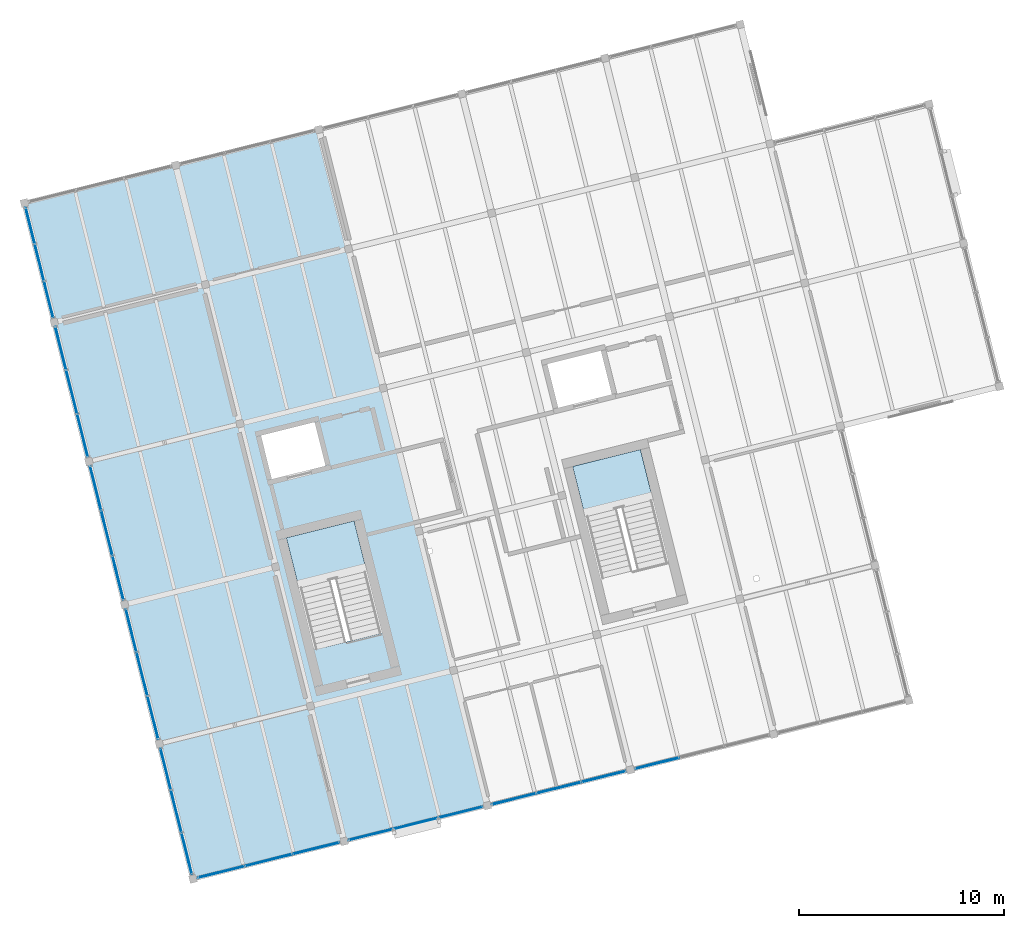
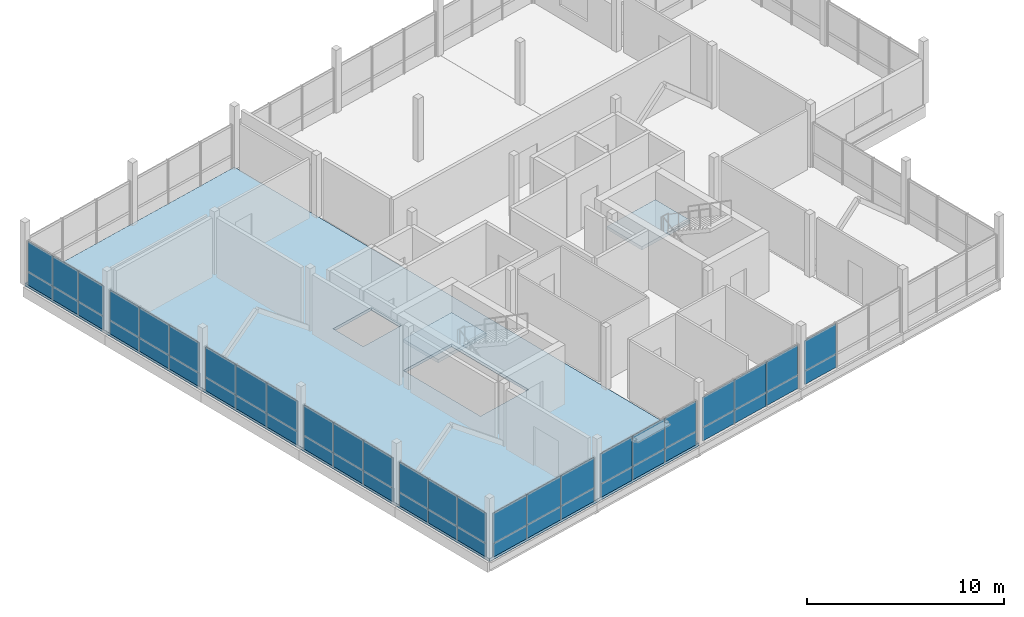
# One storey, part 21 of 26: 50 plates, 3 slabs, 11 elements without a shape of their own.
"""IFC4 building model written with IfcOpenShell, lengths in metres."""

import ifcopenshell
import ifcopenshell.guid

model = None  # the IFC model being written
_history = None  # IfcOwnerHistory: only IFC2X3 demands one
_inside = {}  # id of a spatial element -> (the spatial element, [elements in it])
_under = {}  # id of a project, library or spatial element -> (it, [spatial elements below it])
_declared = {}  # id of a project -> (the project, [libraries it declares])
_typed = {}  # id of a type object -> (the type object, [elements of that type])
_made_of = {}  # id of a material, layer set ... -> (it, [elements and type objects made of it])


def new_model(schema):
    """Start an empty IFC model of exactly this schema.

    Asked for "IFC4X3", IfcOpenShell would pick the latest addendum, in which some entities
    have other attributes; the version numbers below select the first issue.
    IFC2X3 requires an IfcOwnerHistory on every rooted entity: one is made here for all.
    """
    global model, _history
    if schema == "IFC4X3":
        model = ifcopenshell.file(schema_version=(4, 3, 0, 0))
    else:
        model = ifcopenshell.file(schema=schema)
    _inside.clear()
    _under.clear()
    _declared.clear()
    _typed.clear()
    _made_of.clear()
    _history = None
    if model.schema == "IFC2X3":
        org = make("IfcOrganization", Name="unknown")
        user = make(
            "IfcPersonAndOrganization",
            ThePerson=make("IfcPerson", FamilyName="unknown"),
            TheOrganization=org,
        )
        app = make(
            "IfcApplication",
            ApplicationDeveloper=org,
            Version="unknown",
            ApplicationFullName="unknown",
            ApplicationIdentifier="unknown",
        )
        _history = make(
            "IfcOwnerHistory",
            OwningUser=user,
            OwningApplication=app,
            ChangeAction="ADDED",
            CreationDate=0,
        )
    return model


def make(cls, **values):
    """One entity of the class cls with the attributes given. An attribute that is None is left unset."""
    return model.create_entity(
        cls, **{name: value for name, value in values.items() if value is not None}
    )


def rooted(cls, **values):
    """An entity with a GlobalId (a new one), such as an element, a storey or a relation."""
    return make(cls, GlobalId=ifcopenshell.guid.new(), OwnerHistory=_history, **values)


def si_unit(unit_type, name, prefix=None):
    """IfcSIUnit, for example si_unit("LENGTHUNIT", "METRE", prefix="MILLI")."""
    return make("IfcSIUnit", UnitType=unit_type, Prefix=prefix, Name=name)


def assignment(units):
    """IfcUnitAssignment: the units of a project."""
    return None if units is None else make("IfcUnitAssignment", Units=units)


def point(xyz):
    """IfcCartesianPoint."""
    return None if xyz is None else make("IfcCartesianPoint", Coordinates=xyz)


def direction(xyz):
    """IfcDirection."""
    return None if xyz is None else make("IfcDirection", DirectionRatios=xyz)


def frame(location, z_axis=None, x_axis=None):
    """IfcAxis2Placement3D, a coordinate frame: its origin and axes. An axis left out is left unset."""
    return make(
        "IfcAxis2Placement3D",
        Location=point(location),
        Axis=direction(z_axis),
        RefDirection=direction(x_axis),
    )


def frame_2d(location, x_axis=None):
    """IfcAxis2Placement2D, a coordinate frame in the plane: its origin and x axis."""
    return make(
        "IfcAxis2Placement2D", Location=point(location), RefDirection=direction(x_axis)
    )


def origin():
    """The frame at (0, 0, 0) with its axes left unset."""
    return frame((0.0, 0.0, 0.0))


def origin_2d():
    """The frame at (0, 0) in the plane with its x axis left unset."""
    return frame_2d((0.0, 0.0))


def place(relative_to, where):
    """IfcLocalPlacement: puts the frame where relative to a parent placement (None: the world)."""
    return make(
        "IfcLocalPlacement", PlacementRelTo=relative_to, RelativePlacement=where
    )


def context(
    kind, dimensions, precision=None, world=None, true_north=None, identifier=None
):
    """IfcGeometricRepresentationContext, for example the 3D "Model" context."""
    return make(
        "IfcGeometricRepresentationContext",
        ContextIdentifier=identifier,
        ContextType=kind,
        CoordinateSpaceDimension=dimensions,
        Precision=precision,
        WorldCoordinateSystem=world,
        TrueNorth=true_north,
    )


def subcontext(parent, identifier, kind, view, scale=None):
    """IfcGeometricRepresentationSubContext, for example "Body" below "Model"."""
    return make(
        "IfcGeometricRepresentationSubContext",
        ContextIdentifier=identifier,
        ContextType=kind,
        ParentContext=parent,
        TargetScale=scale,
        TargetView=view,
    )


def project(units=None, contexts=None):
    """IfcProject with its units and contexts."""
    return rooted(
        "IfcProject",
        Name="project",
        RepresentationContexts=contexts,
        UnitsInContext=assignment(units),
    )


def spatial(cls, under=None, at=None, **own):
    """A site, building, storey or space (cls), placed at a placement, below another one or the project."""
    s = rooted(cls, ObjectPlacement=at, **own)
    if under is not None:
        _under.setdefault(under.id(), (under, []))[1].append(s)
    return s


def polyline(points):
    """IfcPolyline through the points."""
    return make("IfcPolyline", Points=[point(p) for p in points])


def profile(cls, at=None, kind="AREA", **sizes):
    """A parametric profile (cls). Its sizes go by their IFC names, for example OverallWidth=200.0."""
    return make(cls, ProfileType=kind, Position=at, **sizes)


def rectangle(**sizes):
    """IfcRectangleProfileDef."""
    return profile("IfcRectangleProfileDef", **sizes)


def outline(outer, holes=None, kind="AREA"):
    """IfcArbitraryClosedProfileDef: a profile drawn as a closed curve; with holes, ...WithVoids."""
    if holes is None:
        return make("IfcArbitraryClosedProfileDef", ProfileType=kind, OuterCurve=outer)
    return make(
        "IfcArbitraryProfileDefWithVoids",
        ProfileType=kind,
        OuterCurve=outer,
        InnerCurves=holes,
    )


def extrude(swept, where, along, depth):
    """IfcExtrudedAreaSolid: the profile swept, set in the frame where, extruded along a direction by depth."""
    return make(
        "IfcExtrudedAreaSolid",
        SweptArea=swept,
        Position=where,
        ExtrudedDirection=direction(along),
        Depth=depth,
    )


def shape(context_of_items, identifier, shape_type, items):
    """IfcShapeRepresentation: the items that make up one representation, for example the "Body"."""
    return make(
        "IfcShapeRepresentation",
        ContextOfItems=context_of_items,
        RepresentationIdentifier=identifier,
        RepresentationType=shape_type,
        Items=items,
    )


def material(Name=None, Category=None):
    """IfcMaterial."""
    return make("IfcMaterial", Name=Name, Category=Category)


def layer(
    of_material, thickness, ventilated=None, Name=None, Category=None, Priority=None
):
    """IfcMaterialLayer: one layer of a wall or slab, of a material (None: an air gap)."""
    return make(
        "IfcMaterialLayer",
        Material=of_material,
        LayerThickness=thickness,
        IsVentilated=ventilated,
        Name=Name,
        Category=Category,
        Priority=Priority,
    )


def layer_set(layers, Name=None):
    """IfcMaterialLayerSet."""
    return make("IfcMaterialLayerSet", MaterialLayers=layers, LayerSetName=Name)


def made_of(thing, what):
    """Note that an element or type object is made of a material, layer set ...; save() writes the relation."""
    if what is not None:
        _made_of.setdefault(what.id(), (what, []))[1].append(thing)
    return thing


def type_object(cls, material=None, **own):
    """A type object (cls), such as IfcWallType, which elements share."""
    return made_of(rooted(cls, **own), material)


def element(
    cls,
    number,
    at=None,
    inside=None,
    cuts=None,
    type_object=None,
    material=None,
    context=None,
    identifier="Body",
    shape_type=None,
    held_by="IfcProductDefinitionShape",
    body=None,
    shapes=None,
    **own,
):
    """One element of the class cls, such as IfcWall. Its Tag is "e" and its number.

    at: its placement. inside: the storey or other place that contains it. cuts: it is an
    opening in that element (IfcRelVoidsElement). A single representation is given by context,
    identifier, shape_type and body (its items); several are given by shapes. held_by: the class
    of the entity that holds the representations. save() writes the other relations.
    """
    e = rooted(cls, Tag="e%d" % number, ObjectPlacement=at, **own)
    if body is not None:
        shapes = [shape(context, identifier, shape_type, body)]
    if shapes is not None:
        e.Representation = make(held_by, Representations=shapes)
    if inside is not None:
        _inside.setdefault(inside.id(), (inside, []))[1].append(e)
    if cuts is not None:
        rooted(
            "IfcRelVoidsElement", RelatingBuildingElement=cuts, RelatedOpeningElement=e
        )
    if type_object is not None:
        _typed.setdefault(type_object.id(), (type_object, []))[1].append(e)
    return made_of(e, material)


def aggregate(whole, parts):
    """IfcRelAggregates: a whole, such as a stair, and the parts it consists of."""
    return rooted("IfcRelAggregates", RelatingObject=whole, RelatedObjects=parts)


def save(model, path):
    """Write the relations noted so far, then the file.

    IfcRelAggregates (storeys below a building ...), IfcRelContainedInSpatialStructure (elements
    in a storey), IfcRelDefinesByType, IfcRelAssociatesMaterial and IfcRelDeclares: one each for
    every whole, place, type object, material and project.
    """
    for whole, parts in _under.values():
        aggregate(whole, parts)
    for where, things in _inside.values():
        rooted(
            "IfcRelContainedInSpatialStructure",
            RelatedElements=things,
            RelatingStructure=where,
        )
    for kind, things in _typed.values():
        rooted("IfcRelDefinesByType", RelatedObjects=things, RelatingType=kind)
    for what, things in _made_of.values():
        rooted("IfcRelAssociatesMaterial", RelatedObjects=things, RelatingMaterial=what)
    for by, libraries in _declared.values():
        rooted("IfcRelDeclares", RelatingContext=by, RelatedDefinitions=libraries)
    model.write(path)


model = new_model("IFC4")

# Units and contexts
model_context = context("Model", 3, precision=1e-05, world=origin(), true_north=direction((0.0, 1.0)))
body_context = subcontext(model_context, "Body", "Model", "MODEL_VIEW")
ifc_project = project(units=[si_unit("LENGTHUNIT", "METRE"), si_unit("AREAUNIT", "SQUARE_METRE"), si_unit("VOLUMEUNIT", "CUBIC_METRE"), si_unit("PLANEANGLEUNIT", "RADIAN"), si_unit("MASSUNIT", "GRAM", prefix="KILO")], contexts=[model_context])

# Site, building, storey
site_placement = place(None, origin())
site = spatial("IfcSite", under=ifc_project, at=site_placement, CompositionType="ELEMENT")
building_placement = place(site_placement, origin())
building = spatial("IfcBuilding", under=site, at=building_placement, Name="Meriwether Solvik Hall", CompositionType="ELEMENT")
storey_placement = place(building_placement, frame((0.0, 0.0, 41.699951171875)))
storey = spatial("IfcBuildingStorey", under=building, at=storey_placement, Name="L10", CompositionType="ELEMENT", Elevation=41.699951171875)

# Curtain wall, plates
ifc_material_1 = material(Name="Thermally Broken Anodised Aluminium 6063-T6 and Low-E Glass", Category="aluminium")
ifc_layer_1 = layer(ifc_material_1, 0.179931640625)
ifc_layer_set_1 = layer_set([ifc_layer_1], Name="Thermally Broken Anodised Aluminium 6063-T6 and Low-E Glass")
curtain_wall_type_1 = type_object("IfcCurtainWallType", Name="CW-UNIT-A", PredefinedType="USERDEFINED", material=ifc_layer_set_1)
curtain_wall_1_placement = place(storey_placement, origin())
curtain_wall_1 = element("IfcCurtainWall", 1, at=curtain_wall_1_placement, inside=storey, type_object=curtain_wall_type_1, Name="Curtain Wall E0_B0 (L10)", ObjectType="UNITISED CURTAIN WALL", PredefinedType="USERDEFINED")
ifc_material_2 = material(Name="Low-Emissivity Double-Glazed Laminated Glass", Category="glass")
ifc_layer_2 = layer(ifc_material_2, 0.031982421875)
ifc_layer_set_2 = layer_set([ifc_layer_2], Name="Low-Emissivity Double-Glazed Laminated Glass")
plate_type_1 = type_object("IfcPlateType", Name="PLT-GLZ-180X185", PredefinedType="CURTAIN_PANEL", material=ifc_layer_set_2)
plate_1_placement = place(storey_placement, frame((74.600830078125, 42.6962890625, 0.8310546875), z_axis=(0.0, 0.0, 1.0), x_axis=(-0.970295715501, -0.241921938817, 0.0)))
plate_1 = element("IfcPlate", 2, at=plate_1_placement, type_object=plate_type_1, Name="Low-E Vision Glazing Panel 1", PredefinedType="CURTAIN_PANEL", context=body_context, shape_type="SweptSolid", body=[
    extrude(rectangle(XDim=2.357666015625, YDim=0.033935546875, at=origin_2d()), origin(), (0.0, 0.0, 1.0), 1.87890625),
])
plate_2_placement = place(storey_placement, frame((72.287109375, 42.119384765625, 0.8310546875), z_axis=(0.0, 0.0, 1.0), x_axis=(-0.970295715501, -0.241921938817, 0.0)))
plate_2 = element("IfcPlate", 3, at=plate_2_placement, type_object=plate_type_1, Name="Low-E Vision Glazing Panel 2", PredefinedType="CURTAIN_PANEL", context=body_context, shape_type="SweptSolid", body=[
    extrude(rectangle(XDim=2.395751953125, YDim=0.033935546875, at=origin_2d()), origin(), (0.0, 0.0, 1.0), 1.87890625),
])
plate_3_placement = place(storey_placement, frame((69.973388671875, 41.54248046875, 0.8310546875), z_axis=(0.0, 0.0, 1.0), x_axis=(-0.970295715501, -0.241921938817, 0.0)))
plate_3 = element("IfcPlate", 4, at=plate_3_placement, type_object=plate_type_1, Name="Low-E Vision Glazing Panel 3", PredefinedType="CURTAIN_PANEL", context=body_context, shape_type="SweptSolid", body=[
    extrude(rectangle(XDim=2.357666015625, YDim=0.033935546875, at=origin_2d()), origin(), (0.0, 0.0, 1.0), 1.87890625),
])

curtain_wall_2_placement = place(storey_placement, origin())
curtain_wall_2 = element("IfcCurtainWall", 5, at=curtain_wall_2_placement, inside=storey, type_object=curtain_wall_type_1, Name="Curtain Wall E7_B0 (L10)", ObjectType="UNITISED CURTAIN WALL", PredefinedType="USERDEFINED")
plate_4_placement = place(storey_placement, frame((68.289794921875, 42.44384765625, 0.8310546875), z_axis=(0.0, 0.0, 1.0), x_axis=(-0.241921888555, 0.970295728032, 0.0)))
plate_4 = element("IfcPlate", 6, at=plate_4_placement, type_object=plate_type_1, Name="Low-E Vision Glazing Panel 1", PredefinedType="CURTAIN_PANEL", context=body_context, shape_type="SweptSolid", body=[
    extrude(rectangle(XDim=2.091064453125, YDim=0.033935546875, at=origin_2d()), origin(), (0.0, 0.0, 1.0), 1.87890625),
])
plate_5_placement = place(storey_placement, frame((67.777587890625, 44.4990234375, 0.8310546875), z_axis=(0.0, 0.0, 1.0), x_axis=(-0.241921888555, 0.970295728032, 0.0)))
plate_5 = element("IfcPlate", 7, at=plate_5_placement, type_object=plate_type_1, Name="Low-E Vision Glazing Panel 2", PredefinedType="CURTAIN_PANEL", context=body_context, shape_type="SweptSolid", body=[
    extrude(rectangle(XDim=2.12890625, YDim=0.033935546875, at=origin_2d()), origin(), (0.0, 0.0, 1.0), 1.87890625),
])
plate_6_placement = place(storey_placement, frame((67.26513671875, 46.55419921875, 0.8310546875), z_axis=(0.0, 0.0, 1.0), x_axis=(-0.241921888555, 0.970295728032, 0.0)))
plate_6 = element("IfcPlate", 8, at=plate_6_placement, type_object=plate_type_1, Name="Low-E Vision Glazing Panel 3", PredefinedType="CURTAIN_PANEL", context=body_context, shape_type="SweptSolid", body=[
    extrude(rectangle(XDim=2.091064453125, YDim=0.033935546875, at=origin_2d()), origin(), (0.0, 0.0, 1.0), 1.87890625),
])

ifc_material_3 = material(Name="Thermally Broken Anodised Aluminium 6063-T6 and Low-E Glass", Category="aluminium")
ifc_layer_3 = layer(ifc_material_3, 0.179931640625)
ifc_layer_set_3 = layer_set([ifc_layer_3], Name="Thermally Broken Anodised Aluminium 6063-T6 and Low-E Glass")
curtain_wall_type_2 = type_object("IfcCurtainWallType", Name="CW-UNIT-E", PredefinedType="USERDEFINED", material=ifc_layer_set_3)
curtain_wall_3_placement = place(storey_placement, origin())
curtain_wall_3 = element("IfcCurtainWall", 9, at=curtain_wall_3_placement, inside=storey, type_object=curtain_wall_type_2, Name="Curtain Wall E7_B4 (L10)", ObjectType="UNITISED CURTAIN WALL", PredefinedType="USERDEFINED")
plate_7_placement = place(storey_placement, frame((61.54833984375, 69.48291015625, 0.8310546875), z_axis=(0.0, 0.0, 1.0), x_axis=(-0.241921949893, 0.970295712739, 0.0)))
plate_7 = element("IfcPlate", 10, at=plate_7_placement, type_object=plate_type_1, Name="Low-E Vision Glazing Panel 1", PredefinedType="CURTAIN_PANEL", context=body_context, shape_type="SweptSolid", body=[
    extrude(rectangle(XDim=1.82421875, YDim=0.033935546875, at=origin_2d()), origin(), (0.0, 0.0, 1.0), 1.87890625),
])
plate_8_placement = place(storey_placement, frame((61.100341796875, 71.279052734375, 0.8310546875), z_axis=(0.0, 0.0, 1.0), x_axis=(-0.241921949893, 0.970295712739, 0.0)))
plate_8 = element("IfcPlate", 11, at=plate_8_placement, type_object=plate_type_1, Name="Low-E Vision Glazing Panel 2", PredefinedType="CURTAIN_PANEL", context=body_context, shape_type="SweptSolid", body=[
    extrude(rectangle(XDim=1.8623046875, YDim=0.033935546875, at=origin_2d()), origin(), (0.0, 0.0, 1.0), 1.87890625),
])
plate_9_placement = place(storey_placement, frame((60.652587890625, 73.075439453125, 0.8310546875), z_axis=(0.0, 0.0, 1.0), x_axis=(-0.241921949893, 0.970295712739, 0.0)))
plate_9 = element("IfcPlate", 12, at=plate_9_placement, type_object=plate_type_1, Name="Low-E Vision Glazing Panel 3", PredefinedType="CURTAIN_PANEL", context=body_context, shape_type="SweptSolid", body=[
    extrude(rectangle(XDim=1.82421875, YDim=0.033935546875, at=origin_2d()), origin(), (0.0, 0.0, 1.0), 1.87890625),
])

# Curtain wall, plate
ifc_material_4 = material(Name="Thermally Broken Anodised Aluminium 6063-T6 and Low-E Glass", Category="aluminium")
ifc_layer_4 = layer(ifc_material_4, 0.179931640625)
ifc_layer_set_4 = layer_set([ifc_layer_4], Name="Thermally Broken Anodised Aluminium 6063-T6 and Low-E Glass")
curtain_wall_type_3 = type_object("IfcCurtainWallType", Name="CW-UNIT-D", PredefinedType="USERDEFINED", material=ifc_layer_set_4)
curtain_wall_4_placement = place(storey_placement, origin())
curtain_wall_4 = element("IfcCurtainWall", 13, at=curtain_wall_4_placement, inside=storey, type_object=curtain_wall_type_3, Name="Curtain Wall E0_B3 (L10)", ObjectType="UNITISED CURTAIN WALL", PredefinedType="USERDEFINED")
ifc_material_5 = material(Name="Low-Emissivity Double-Glazed Laminated Glass", Category="glass")
ifc_layer_5 = layer(ifc_material_5, 0.031982421875)
ifc_layer_set_5 = layer_set([ifc_layer_5], Name="Low-Emissivity Double-Glazed Laminated Glass")
plate_type_2 = type_object("IfcPlateType", Name="PLT-GLZ-195X185", PredefinedType="CURTAIN_PANEL", material=ifc_layer_set_5)
plate_10_placement = place(storey_placement, frame((91.255126953125, 46.8486328125, 0.8310546875), z_axis=(0.0, 0.0, 1.0), x_axis=(-0.97029573429, -0.241921863457, 0.0)))
plate_10 = element("IfcPlate", 14, at=plate_10_placement, type_object=plate_type_2, Name="Low-E Vision Glazing Panel 3", PredefinedType="CURTAIN_PANEL", context=body_context, shape_type="SweptSolid", body=[
    extrude(rectangle(XDim=2.224365234375, YDim=0.033935546875, at=origin_2d()), origin(), (0.0, 0.0, 1.0), 1.87890625),
])

# Curtain wall, plates
curtain_wall_5_placement = place(storey_placement, origin())
curtain_wall_5 = element("IfcCurtainWall", 15, at=curtain_wall_5_placement, inside=storey, type_object=curtain_wall_type_3, Name="Curtain Wall E7_B3 (L10)", ObjectType="UNITISED CURTAIN WALL", PredefinedType="USERDEFINED")
plate_11_placement = place(storey_placement, frame((63.201416015625, 62.8525390625, 0.8310546875), z_axis=(0.0, 0.0, 1.0), x_axis=(-0.241921804422, 0.970295749009, 0.0)))
plate_11 = element("IfcPlate", 16, at=plate_11_placement, type_object=plate_type_2, Name="Low-E Vision Glazing Panel 1", PredefinedType="CURTAIN_PANEL", context=body_context, shape_type="SweptSolid", body=[
    extrude(rectangle(XDim=2.15771484375, YDim=0.033935546875, at=origin_2d()), origin(), (0.0, 0.0, 1.0), 1.87890625),
])
plate_12_placement = place(storey_placement, frame((62.6728515625, 64.97216796875, 0.8310546875), z_axis=(0.0, 0.0, 1.0), x_axis=(-0.241921804422, 0.970295749009, 0.0)))
plate_12 = element("IfcPlate", 17, at=plate_12_placement, type_object=plate_type_2, Name="Low-E Vision Glazing Panel 2", PredefinedType="CURTAIN_PANEL", context=body_context, shape_type="SweptSolid", body=[
    extrude(rectangle(XDim=2.19580078125, YDim=0.033935546875, at=origin_2d()), origin(), (0.0, 0.0, 1.0), 1.87890625),
])
plate_13_placement = place(storey_placement, frame((62.144287109375, 67.092041015625, 0.8310546875), z_axis=(0.0, 0.0, 1.0), x_axis=(-0.241921804422, 0.970295749009, 0.0)))
plate_13 = element("IfcPlate", 18, at=plate_13_placement, type_object=plate_type_2, Name="Low-E Vision Glazing Panel 3", PredefinedType="CURTAIN_PANEL", context=body_context, shape_type="SweptSolid", body=[
    extrude(rectangle(XDim=2.15771484375, YDim=0.033935546875, at=origin_2d()), origin(), (0.0, 0.0, 1.0), 1.87890625),
])

ifc_material_6 = material(Name="Thermally Broken Anodised Aluminium 6063-T6 and Low-E Glass", Category="aluminium")
ifc_layer_6 = layer(ifc_material_6, 0.179931640625)
ifc_layer_set_6 = layer_set([ifc_layer_6], Name="Thermally Broken Anodised Aluminium 6063-T6 and Low-E Glass")
curtain_wall_type_4 = type_object("IfcCurtainWallType", Name="CW-UNIT-C", PredefinedType="USERDEFINED", material=ifc_layer_set_6)
curtain_wall_6_placement = place(storey_placement, origin())
curtain_wall_6 = element("IfcCurtainWall", 19, at=curtain_wall_6_placement, inside=storey, type_object=curtain_wall_type_4, Name="Curtain Wall E0_B2 (L10)", ObjectType="UNITISED CURTAIN WALL", PredefinedType="USERDEFINED")
ifc_material_7 = material(Name="Low-Emissivity Double-Glazed Laminated Glass", Category="glass")
ifc_layer_7 = layer(ifc_material_7, 0.031982421875)
ifc_layer_set_7 = layer_set([ifc_layer_7], Name="Low-Emissivity Double-Glazed Laminated Glass")
plate_type_3 = type_object("IfcPlateType", Name="PLT-GLZ-210X195", PredefinedType="CURTAIN_PANEL", material=ifc_layer_set_7)
plate_14_placement = place(storey_placement, frame((88.637939453125, 46.196044921875, 0.8310546875), z_axis=(0.0, 0.0, 1.0), x_axis=(-0.970295725693, -0.241921897937, 0.0)))
plate_14 = element("IfcPlate", 20, at=plate_14_placement, type_object=plate_type_3, Name="Low-E Vision Glazing Panel 1", PredefinedType="CURTAIN_PANEL", context=body_context, shape_type="SweptSolid", body=[
    extrude(rectangle(XDim=2.224365234375, YDim=0.033935546875, at=origin_2d()), origin(), (0.0, 0.0, 1.0), 1.87890625),
])
plate_15_placement = place(storey_placement, frame((86.453369140625, 45.6513671875, 0.8310546875), z_axis=(0.0, 0.0, 1.0), x_axis=(-0.970295725693, -0.241921897937, 0.0)))
plate_15 = element("IfcPlate", 21, at=plate_15_placement, type_object=plate_type_3, Name="Low-E Vision Glazing Panel 2", PredefinedType="CURTAIN_PANEL", context=body_context, shape_type="SweptSolid", body=[
    extrude(rectangle(XDim=2.26220703125, YDim=0.033935546875, at=origin_2d()), origin(), (0.0, 0.0, 1.0), 1.87890625),
])
plate_16_placement = place(storey_placement, frame((84.26904296875, 45.106689453125, 0.8310546875), z_axis=(0.0, 0.0, 1.0), x_axis=(-0.970295725693, -0.241921897937, 0.0)))
plate_16 = element("IfcPlate", 22, at=plate_16_placement, type_object=plate_type_3, Name="Low-E Vision Glazing Panel 3", PredefinedType="CURTAIN_PANEL", context=body_context, shape_type="SweptSolid", body=[
    extrude(rectangle(XDim=2.224365234375, YDim=0.033935546875, at=origin_2d()), origin(), (0.0, 0.0, 1.0), 1.87890625),
])

curtain_wall_7_placement = place(storey_placement, origin())
curtain_wall_7 = element("IfcCurtainWall", 23, at=curtain_wall_7_placement, inside=storey, type_object=curtain_wall_type_4, Name="Curtain Wall E7_B2 (L10)", ObjectType="UNITISED CURTAIN WALL", PredefinedType="USERDEFINED")
plate_17_placement = place(storey_placement, frame((64.935302734375, 55.898681640625, 0.8310546875), z_axis=(0.0, 0.0, 1.0), x_axis=(-0.241921897937, 0.970295725693, 0.0)))
plate_17 = element("IfcPlate", 24, at=plate_17_placement, type_object=plate_type_3, Name="Low-E Vision Glazing Panel 1", PredefinedType="CURTAIN_PANEL", context=body_context, shape_type="SweptSolid", body=[
    extrude(rectangle(XDim=2.224365234375, YDim=0.033935546875, at=origin_2d()), origin(), (0.0, 0.0, 1.0), 1.87890625),
])
plate_18_placement = place(storey_placement, frame((64.390625, 58.083251953125, 0.8310546875), z_axis=(0.0, 0.0, 1.0), x_axis=(-0.241921897937, 0.970295725693, 0.0)))
plate_18 = element("IfcPlate", 25, at=plate_18_placement, type_object=plate_type_3, Name="Low-E Vision Glazing Panel 2", PredefinedType="CURTAIN_PANEL", context=body_context, shape_type="SweptSolid", body=[
    extrude(rectangle(XDim=2.26220703125, YDim=0.033935546875, at=origin_2d()), origin(), (0.0, 0.0, 1.0), 1.87890625),
])
plate_19_placement = place(storey_placement, frame((63.845947265625, 60.267578125, 0.8310546875), z_axis=(0.0, 0.0, 1.0), x_axis=(-0.241921897937, 0.970295725693, 0.0)))
plate_19 = element("IfcPlate", 26, at=plate_19_placement, type_object=plate_type_3, Name="Low-E Vision Glazing Panel 3", PredefinedType="CURTAIN_PANEL", context=body_context, shape_type="SweptSolid", body=[
    extrude(rectangle(XDim=2.224365234375, YDim=0.033935546875, at=origin_2d()), origin(), (0.0, 0.0, 1.0), 1.87890625),
])

ifc_material_8 = material(Name="Thermally Broken Anodised Aluminium 6063-T6 and Low-E Glass", Category="aluminium")
ifc_layer_8 = layer(ifc_material_8, 0.179931640625)
ifc_layer_set_8 = layer_set([ifc_layer_8], Name="Thermally Broken Anodised Aluminium 6063-T6 and Low-E Glass")
curtain_wall_type_5 = type_object("IfcCurtainWallType", Name="CW-UNIT-B", PredefinedType="USERDEFINED", material=ifc_layer_set_8)
curtain_wall_8_placement = place(storey_placement, origin())
curtain_wall_8 = element("IfcCurtainWall", 27, at=curtain_wall_8_placement, inside=storey, type_object=curtain_wall_type_5, Name="Curtain Wall E0_B1 (L10)", ObjectType="UNITISED CURTAIN WALL", PredefinedType="USERDEFINED")
ifc_material_9 = material(Name="Low-Emissivity Double-Glazed Laminated Glass", Category="glass")
ifc_layer_9 = layer(ifc_material_9, 0.031982421875)
ifc_layer_set_9 = layer_set([ifc_layer_9], Name="Low-Emissivity Double-Glazed Laminated Glass")
plate_type_4 = type_object("IfcPlateType", Name="PLT-GLZ-225X195", PredefinedType="CURTAIN_PANEL", material=ifc_layer_set_9)
plate_20_placement = place(storey_placement, frame((81.65185546875, 44.4541015625, 0.8310546875), z_axis=(0.0, 0.0, 1.0), x_axis=(-0.970295725693, -0.241921897937, 0.0)))
plate_20 = element("IfcPlate", 28, at=plate_20_placement, type_object=plate_type_4, Name="Low-E Vision Glazing Panel 1", PredefinedType="CURTAIN_PANEL", context=body_context, shape_type="SweptSolid", body=[
    extrude(rectangle(XDim=2.224365234375, YDim=0.033935546875, at=origin_2d()), origin(), (0.0, 0.0, 1.0), 1.87890625),
])
plate_21_placement = place(storey_placement, frame((79.46728515625, 43.909423828125, 0.8310546875), z_axis=(0.0, 0.0, 1.0), x_axis=(-0.970295725693, -0.241921897937, 0.0)))
plate_21 = element("IfcPlate", 29, at=plate_21_placement, type_object=plate_type_4, Name="Low-E Vision Glazing Panel 2", PredefinedType="CURTAIN_PANEL", context=body_context, shape_type="SweptSolid", body=[
    extrude(rectangle(XDim=2.26220703125, YDim=0.033935546875, at=origin_2d()), origin(), (0.0, 0.0, 1.0), 1.87890625),
])
plate_22_placement = place(storey_placement, frame((77.282958984375, 43.364990234375, 0.8310546875), z_axis=(0.0, 0.0, 1.0), x_axis=(-0.970295725693, -0.241921897937, 0.0)))
plate_22 = element("IfcPlate", 30, at=plate_22_placement, type_object=plate_type_4, Name="Low-E Vision Glazing Panel 3", PredefinedType="CURTAIN_PANEL", context=body_context, shape_type="SweptSolid", body=[
    extrude(rectangle(XDim=2.224365234375, YDim=0.033935546875, at=origin_2d()), origin(), (0.0, 0.0, 1.0), 1.87890625),
])

curtain_wall_9_placement = place(storey_placement, origin())
curtain_wall_9 = element("IfcCurtainWall", 31, at=curtain_wall_9_placement, inside=storey, type_object=curtain_wall_type_5, Name="Curtain Wall E7_B1 (L10)", ObjectType="UNITISED CURTAIN WALL", PredefinedType="USERDEFINED")
plate_23_placement = place(storey_placement, frame((66.63671875, 49.07421875, 0.8310546875), z_axis=(0.0, 0.0, 1.0), x_axis=(-0.24192176891, 0.970295757863, 0.0)))
plate_23 = element("IfcPlate", 32, at=plate_23_placement, type_object=plate_type_4, Name="Low-E Vision Glazing Panel 1", PredefinedType="CURTAIN_PANEL", context=body_context, shape_type="SweptSolid", body=[
    extrude(rectangle(XDim=2.15771484375, YDim=0.033935546875, at=origin_2d()), origin(), (0.0, 0.0, 1.0), 1.87890625),
])
plate_24_placement = place(storey_placement, frame((66.108154296875, 51.194091796875, 0.8310546875), z_axis=(0.0, 0.0, 1.0), x_axis=(-0.24192176891, 0.970295757863, 0.0)))
plate_24 = element("IfcPlate", 33, at=plate_24_placement, type_object=plate_type_4, Name="Low-E Vision Glazing Panel 2", PredefinedType="CURTAIN_PANEL", context=body_context, shape_type="SweptSolid", body=[
    extrude(rectangle(XDim=2.19580078125, YDim=0.033935546875, at=origin_2d()), origin(), (0.0, 0.0, 1.0), 1.87890625),
])
plate_25_placement = place(storey_placement, frame((65.57958984375, 53.313720703125, 0.8310546875), z_axis=(0.0, 0.0, 1.0), x_axis=(-0.24192176891, 0.970295757863, 0.0)))
plate_25 = element("IfcPlate", 34, at=plate_25_placement, type_object=plate_type_4, Name="Low-E Vision Glazing Panel 3", PredefinedType="CURTAIN_PANEL", context=body_context, shape_type="SweptSolid", body=[
    extrude(rectangle(XDim=2.15771484375, YDim=0.033935546875, at=origin_2d()), origin(), (0.0, 0.0, 1.0), 1.87890625),
])

# Plate
ifc_material_10 = material(Name="Mineral-Wool Insulated Anodised Aluminium 6063-T6", Category="aluminium")
ifc_layer_10 = layer(ifc_material_10, 0.044921875)
ifc_layer_set_10 = layer_set([ifc_layer_10], Name="Mineral-Wool Insulated Anodised Aluminium 6063-T6")
plate_type_5 = type_object("IfcPlateType", Name="PLT-SPN-225X085", PredefinedType="CURTAIN_PANEL", material=ifc_layer_set_10)
plate_26_placement = place(storey_placement, frame((74.600830078125, 42.6962890625, 0.0), z_axis=(0.0, 0.0, 1.0), x_axis=(-0.970295715501, -0.241921938817, 0.0)))
plate_26 = element("IfcPlate", 35, at=plate_26_placement, type_object=plate_type_5, Name="Insulated Spandrel Panel 1", PredefinedType="CURTAIN_PANEL", context=body_context, shape_type="SweptSolid", body=[
    extrude(rectangle(XDim=2.357666015625, YDim=0.044921875, at=origin_2d()), origin(), (0.0, 0.0, 1.0), 0.8310546875),
])

plate_27_placement = place(storey_placement, frame((72.287109375, 42.119384765625, 0.0), z_axis=(0.0, 0.0, 1.0), x_axis=(-0.970295715501, -0.241921938817, 0.0)))
plate_27 = element("IfcPlate", 36, at=plate_27_placement, type_object=plate_type_5, Name="Insulated Spandrel Panel 2", PredefinedType="CURTAIN_PANEL", context=body_context, shape_type="SweptSolid", body=[
    extrude(rectangle(XDim=2.395751953125, YDim=0.044921875, at=origin_2d()), origin(), (0.0, 0.0, 1.0), 0.8310546875),
])

plate_28_placement = place(storey_placement, frame((69.973388671875, 41.54248046875, 0.0), z_axis=(0.0, 0.0, 1.0), x_axis=(-0.970295715501, -0.241921938817, 0.0)))
plate_28 = element("IfcPlate", 37, at=plate_28_placement, type_object=plate_type_5, Name="Insulated Spandrel Panel 3", PredefinedType="CURTAIN_PANEL", context=body_context, shape_type="SweptSolid", body=[
    extrude(rectangle(XDim=2.357666015625, YDim=0.044921875, at=origin_2d()), origin(), (0.0, 0.0, 1.0), 0.8310546875),
])

aggregate(curtain_wall_1, [plate_26, plate_1, plate_27, plate_2, plate_28, plate_3])

plate_29_placement = place(storey_placement, frame((81.65185546875, 44.4541015625, 0.0), z_axis=(0.0, 0.0, 1.0), x_axis=(-0.970295725693, -0.241921897937, 0.0)))
plate_29 = element("IfcPlate", 38, at=plate_29_placement, type_object=plate_type_5, Name="Insulated Spandrel Panel 1", PredefinedType="CURTAIN_PANEL", context=body_context, shape_type="SweptSolid", body=[
    extrude(rectangle(XDim=2.224365234375, YDim=0.044921875, at=origin_2d()), origin(), (0.0, 0.0, 1.0), 0.8310546875),
])

plate_30_placement = place(storey_placement, frame((79.46728515625, 43.909423828125, 0.0), z_axis=(0.0, 0.0, 1.0), x_axis=(-0.970295725693, -0.241921897937, 0.0)))
plate_30 = element("IfcPlate", 39, at=plate_30_placement, type_object=plate_type_5, Name="Insulated Spandrel Panel 2", PredefinedType="CURTAIN_PANEL", context=body_context, shape_type="SweptSolid", body=[
    extrude(rectangle(XDim=2.26220703125, YDim=0.044921875, at=origin_2d()), origin(), (0.0, 0.0, 1.0), 0.8310546875),
])

plate_31_placement = place(storey_placement, frame((77.282958984375, 43.364990234375, 0.0), z_axis=(0.0, 0.0, 1.0), x_axis=(-0.970295725693, -0.241921897937, 0.0)))
plate_31 = element("IfcPlate", 40, at=plate_31_placement, type_object=plate_type_5, Name="Insulated Spandrel Panel 3", PredefinedType="CURTAIN_PANEL", context=body_context, shape_type="SweptSolid", body=[
    extrude(rectangle(XDim=2.224365234375, YDim=0.044921875, at=origin_2d()), origin(), (0.0, 0.0, 1.0), 0.8310546875),
])

aggregate(curtain_wall_8, [plate_29, plate_20, plate_30, plate_21, plate_31, plate_22])

plate_32_placement = place(storey_placement, frame((88.637939453125, 46.196044921875, 0.0), z_axis=(0.0, 0.0, 1.0), x_axis=(-0.970295725693, -0.241921897937, 0.0)))
plate_32 = element("IfcPlate", 41, at=plate_32_placement, type_object=plate_type_5, Name="Insulated Spandrel Panel 1", PredefinedType="CURTAIN_PANEL", context=body_context, shape_type="SweptSolid", body=[
    extrude(rectangle(XDim=2.224365234375, YDim=0.044921875, at=origin_2d()), origin(), (0.0, 0.0, 1.0), 0.8310546875),
])

plate_33_placement = place(storey_placement, frame((86.453369140625, 45.6513671875, 0.0), z_axis=(0.0, 0.0, 1.0), x_axis=(-0.970295725693, -0.241921897937, 0.0)))
plate_33 = element("IfcPlate", 42, at=plate_33_placement, type_object=plate_type_5, Name="Insulated Spandrel Panel 2", PredefinedType="CURTAIN_PANEL", context=body_context, shape_type="SweptSolid", body=[
    extrude(rectangle(XDim=2.26220703125, YDim=0.044921875, at=origin_2d()), origin(), (0.0, 0.0, 1.0), 0.8310546875),
])

plate_34_placement = place(storey_placement, frame((84.26904296875, 45.106689453125, 0.0), z_axis=(0.0, 0.0, 1.0), x_axis=(-0.970295725693, -0.241921897937, 0.0)))
plate_34 = element("IfcPlate", 43, at=plate_34_placement, type_object=plate_type_5, Name="Insulated Spandrel Panel 3", PredefinedType="CURTAIN_PANEL", context=body_context, shape_type="SweptSolid", body=[
    extrude(rectangle(XDim=2.224365234375, YDim=0.044921875, at=origin_2d()), origin(), (0.0, 0.0, 1.0), 0.8310546875),
])

aggregate(curtain_wall_6, [plate_32, plate_14, plate_33, plate_15, plate_34, plate_16])

plate_35_placement = place(storey_placement, frame((91.255126953125, 46.8486328125, 0.0), z_axis=(0.0, 0.0, 1.0), x_axis=(-0.97029573429, -0.241921863457, 0.0)))
plate_35 = element("IfcPlate", 44, at=plate_35_placement, type_object=plate_type_5, Name="Insulated Spandrel Panel 3", PredefinedType="CURTAIN_PANEL", context=body_context, shape_type="SweptSolid", body=[
    extrude(rectangle(XDim=2.224365234375, YDim=0.044921875, at=origin_2d()), origin(), (0.0, 0.0, 1.0), 0.8310546875),
])

aggregate(curtain_wall_4, [plate_35, plate_10])

plate_36_placement = place(storey_placement, frame((68.289794921875, 42.44384765625, 0.0), z_axis=(0.0, 0.0, 1.0), x_axis=(-0.241921888555, 0.970295728032, 0.0)))
plate_36 = element("IfcPlate", 45, at=plate_36_placement, type_object=plate_type_5, Name="Insulated Spandrel Panel 1", PredefinedType="CURTAIN_PANEL", context=body_context, shape_type="SweptSolid", body=[
    extrude(rectangle(XDim=2.091064453125, YDim=0.044921875, at=origin_2d()), origin(), (0.0, 0.0, 1.0), 0.8310546875),
])

plate_37_placement = place(storey_placement, frame((67.777587890625, 44.4990234375, 0.0), z_axis=(0.0, 0.0, 1.0), x_axis=(-0.241921888555, 0.970295728032, 0.0)))
plate_37 = element("IfcPlate", 46, at=plate_37_placement, type_object=plate_type_5, Name="Insulated Spandrel Panel 2", PredefinedType="CURTAIN_PANEL", context=body_context, shape_type="SweptSolid", body=[
    extrude(rectangle(XDim=2.12890625, YDim=0.044921875, at=origin_2d()), origin(), (0.0, 0.0, 1.0), 0.8310546875),
])

plate_38_placement = place(storey_placement, frame((67.26513671875, 46.55419921875, 0.0), z_axis=(0.0, 0.0, 1.0), x_axis=(-0.241921888555, 0.970295728032, 0.0)))
plate_38 = element("IfcPlate", 47, at=plate_38_placement, type_object=plate_type_5, Name="Insulated Spandrel Panel 3", PredefinedType="CURTAIN_PANEL", context=body_context, shape_type="SweptSolid", body=[
    extrude(rectangle(XDim=2.091064453125, YDim=0.044921875, at=origin_2d()), origin(), (0.0, 0.0, 1.0), 0.8310546875),
])

aggregate(curtain_wall_2, [plate_36, plate_4, plate_37, plate_5, plate_38, plate_6])

plate_39_placement = place(storey_placement, frame((66.63671875, 49.07421875, 0.0), z_axis=(0.0, 0.0, 1.0), x_axis=(-0.24192176891, 0.970295757863, 0.0)))
plate_39 = element("IfcPlate", 48, at=plate_39_placement, type_object=plate_type_5, Name="Insulated Spandrel Panel 1", PredefinedType="CURTAIN_PANEL", context=body_context, shape_type="SweptSolid", body=[
    extrude(rectangle(XDim=2.15771484375, YDim=0.044921875, at=origin_2d()), origin(), (0.0, 0.0, 1.0), 0.8310546875),
])

plate_40_placement = place(storey_placement, frame((66.108154296875, 51.194091796875, 0.0), z_axis=(0.0, 0.0, 1.0), x_axis=(-0.24192176891, 0.970295757863, 0.0)))
plate_40 = element("IfcPlate", 49, at=plate_40_placement, type_object=plate_type_5, Name="Insulated Spandrel Panel 2", PredefinedType="CURTAIN_PANEL", context=body_context, shape_type="SweptSolid", body=[
    extrude(rectangle(XDim=2.19580078125, YDim=0.044921875, at=origin_2d()), origin(), (0.0, 0.0, 1.0), 0.8310546875),
])

plate_41_placement = place(storey_placement, frame((65.57958984375, 53.313720703125, 0.0), z_axis=(0.0, 0.0, 1.0), x_axis=(-0.24192176891, 0.970295757863, 0.0)))
plate_41 = element("IfcPlate", 50, at=plate_41_placement, type_object=plate_type_5, Name="Insulated Spandrel Panel 3", PredefinedType="CURTAIN_PANEL", context=body_context, shape_type="SweptSolid", body=[
    extrude(rectangle(XDim=2.15771484375, YDim=0.044921875, at=origin_2d()), origin(), (0.0, 0.0, 1.0), 0.8310546875),
])

aggregate(curtain_wall_9, [plate_39, plate_23, plate_40, plate_24, plate_41, plate_25])

plate_42_placement = place(storey_placement, frame((64.935302734375, 55.898681640625, 0.0), z_axis=(0.0, 0.0, 1.0), x_axis=(-0.241921897937, 0.970295725693, 0.0)))
plate_42 = element("IfcPlate", 51, at=plate_42_placement, type_object=plate_type_5, Name="Insulated Spandrel Panel 1", PredefinedType="CURTAIN_PANEL", context=body_context, shape_type="SweptSolid", body=[
    extrude(rectangle(XDim=2.224365234375, YDim=0.044921875, at=origin_2d()), origin(), (0.0, 0.0, 1.0), 0.8310546875),
])

plate_43_placement = place(storey_placement, frame((64.390625, 58.083251953125, 0.0), z_axis=(0.0, 0.0, 1.0), x_axis=(-0.241921897937, 0.970295725693, 0.0)))
plate_43 = element("IfcPlate", 52, at=plate_43_placement, type_object=plate_type_5, Name="Insulated Spandrel Panel 2", PredefinedType="CURTAIN_PANEL", context=body_context, shape_type="SweptSolid", body=[
    extrude(rectangle(XDim=2.26220703125, YDim=0.044921875, at=origin_2d()), origin(), (0.0, 0.0, 1.0), 0.8310546875),
])

plate_44_placement = place(storey_placement, frame((63.845947265625, 60.267578125, 0.0), z_axis=(0.0, 0.0, 1.0), x_axis=(-0.241921897937, 0.970295725693, 0.0)))
plate_44 = element("IfcPlate", 53, at=plate_44_placement, type_object=plate_type_5, Name="Insulated Spandrel Panel 3", PredefinedType="CURTAIN_PANEL", context=body_context, shape_type="SweptSolid", body=[
    extrude(rectangle(XDim=2.224365234375, YDim=0.044921875, at=origin_2d()), origin(), (0.0, 0.0, 1.0), 0.8310546875),
])

aggregate(curtain_wall_7, [plate_42, plate_17, plate_43, plate_18, plate_44, plate_19])

plate_45_placement = place(storey_placement, frame((63.201416015625, 62.8525390625, 0.0), z_axis=(0.0, 0.0, 1.0), x_axis=(-0.241921804422, 0.970295749009, 0.0)))
plate_45 = element("IfcPlate", 54, at=plate_45_placement, type_object=plate_type_5, Name="Insulated Spandrel Panel 1", PredefinedType="CURTAIN_PANEL", context=body_context, shape_type="SweptSolid", body=[
    extrude(rectangle(XDim=2.15771484375, YDim=0.044921875, at=origin_2d()), origin(), (0.0, 0.0, 1.0), 0.8310546875),
])

plate_46_placement = place(storey_placement, frame((62.6728515625, 64.97216796875, 0.0), z_axis=(0.0, 0.0, 1.0), x_axis=(-0.241921804422, 0.970295749009, 0.0)))
plate_46 = element("IfcPlate", 55, at=plate_46_placement, type_object=plate_type_5, Name="Insulated Spandrel Panel 2", PredefinedType="CURTAIN_PANEL", context=body_context, shape_type="SweptSolid", body=[
    extrude(rectangle(XDim=2.19580078125, YDim=0.044921875, at=origin_2d()), origin(), (0.0, 0.0, 1.0), 0.8310546875),
])

plate_47_placement = place(storey_placement, frame((62.144287109375, 67.092041015625, 0.0), z_axis=(0.0, 0.0, 1.0), x_axis=(-0.241921804422, 0.970295749009, 0.0)))
plate_47 = element("IfcPlate", 56, at=plate_47_placement, type_object=plate_type_5, Name="Insulated Spandrel Panel 3", PredefinedType="CURTAIN_PANEL", context=body_context, shape_type="SweptSolid", body=[
    extrude(rectangle(XDim=2.15771484375, YDim=0.044921875, at=origin_2d()), origin(), (0.0, 0.0, 1.0), 0.8310546875),
])

aggregate(curtain_wall_5, [plate_45, plate_11, plate_46, plate_12, plate_47, plate_13])

plate_48_placement = place(storey_placement, frame((61.54833984375, 69.48291015625, 0.0), z_axis=(0.0, 0.0, 1.0), x_axis=(-0.241921949893, 0.970295712739, 0.0)))
plate_48 = element("IfcPlate", 57, at=plate_48_placement, type_object=plate_type_5, Name="Insulated Spandrel Panel 1", PredefinedType="CURTAIN_PANEL", context=body_context, shape_type="SweptSolid", body=[
    extrude(rectangle(XDim=1.82421875, YDim=0.044921875, at=origin_2d()), origin(), (0.0, 0.0, 1.0), 0.8310546875),
])

plate_49_placement = place(storey_placement, frame((61.100341796875, 71.279052734375, 0.0), z_axis=(0.0, 0.0, 1.0), x_axis=(-0.241921949893, 0.970295712739, 0.0)))
plate_49 = element("IfcPlate", 58, at=plate_49_placement, type_object=plate_type_5, Name="Insulated Spandrel Panel 2", PredefinedType="CURTAIN_PANEL", context=body_context, shape_type="SweptSolid", body=[
    extrude(rectangle(XDim=1.8623046875, YDim=0.044921875, at=origin_2d()), origin(), (0.0, 0.0, 1.0), 0.8310546875),
])

plate_50_placement = place(storey_placement, frame((60.652587890625, 73.075439453125, 0.0), z_axis=(0.0, 0.0, 1.0), x_axis=(-0.241921949893, 0.970295712739, 0.0)))
plate_50 = element("IfcPlate", 59, at=plate_50_placement, type_object=plate_type_5, Name="Insulated Spandrel Panel 3", PredefinedType="CURTAIN_PANEL", context=body_context, shape_type="SweptSolid", body=[
    extrude(rectangle(XDim=1.82421875, YDim=0.044921875, at=origin_2d()), origin(), (0.0, 0.0, 1.0), 0.8310546875),
])

aggregate(curtain_wall_3, [plate_48, plate_7, plate_49, plate_8, plate_50, plate_9])

# Slab
ifc_material_11 = material(Name="Cross-Laminated Timber PRG 320 E1", Category="wood")
ifc_layer_11 = layer(ifc_material_11, 0.179931640625)
ifc_layer_set_11 = layer_set([ifc_layer_11], Name="Cross-Laminated Timber PRG 320 E1")
slab_type_1 = type_object("IfcSlabType", Name="SLB-CLT-180", PredefinedType="FLOOR", material=ifc_layer_set_11)
slab_1_placement = place(storey_placement, frame((0.0, 0.0, -0.179931640625)))
element("IfcSlab", 60, at=slab_1_placement, inside=storey, type_object=slab_type_1, Name="L10 Mass-Timber CLT Floor W", PredefinedType="FLOOR", context=body_context, shape_type="SweptSolid", body=[
    extrude(outline(polyline([(74.732177734375, 77.769775390625), (82.95751953125, 44.77978515625), (68.60009765625, 41.199951171875), (60.374755859375, 74.18994140625), (74.732177734375, 77.769775390625)]), holes=[polyline([(74.5205078125, 52.382568359375), (77.819580078125, 53.205078125), (76.45703125, 58.669677734375), (73.157958984375, 57.84716796875), (74.5205078125, 52.382568359375)]), polyline([(71.912109375, 62.84423828125), (72.4443359375, 60.70947265625), (75.064208984375, 61.36279296875), (74.531982421875, 63.497314453125), (71.912109375, 62.84423828125)])]), origin(), (0.0, 0.0, 1.0), 0.179931640625),
])

# Stair, slab
ifc_material_12 = material(Name="Concrete C40/50", Category="concrete")
stair_type = type_object("IfcStairType", Name="STR-CORE-DOGLEG-A", PredefinedType="TWO_STRAIGHT_RUN_STAIR", material=ifc_material_12)
stair_1_placement = place(storey_placement, origin())
stair_1 = element("IfcStair", 61, at=stair_1_placement, inside=storey, type_object=stair_type, Name="Exit Stair ST-01 (L10)", PredefinedType="TWO_STRAIGHT_RUN_STAIR")
ifc_material_13 = material(Name="Concrete C40/50", Category="concrete")
ifc_layer_12 = layer(ifc_material_13, 0.199951171875)
ifc_layer_set_12 = layer_set([ifc_layer_12], Name="Concrete C40/50")
slab_type_2 = type_object("IfcSlabType", Name="SLB-LND-200", PredefinedType="LANDING", material=ifc_layer_set_12)
slab_2_placement = place(storey_placement, frame((0.0, 0.0, 1.75)))
slab_2 = element("IfcSlab", 62, at=slab_2_placement, type_object=slab_type_2, Name="Stair ST-01 Half Landing (L10)", PredefinedType="LANDING", context=body_context, shape_type="SweptSolid", body=[
    extrude(outline(polyline([(73.76611328125, 55.38818359375), (77.07470703125, 56.213134765625), (76.460693359375, 58.67578125), (73.152099609375, 57.850830078125), (73.76611328125, 55.38818359375)])), origin(), (0.0, 0.0, 1.0), 0.199951171875),
])
aggregate(stair_1, [slab_2])

stair_2_placement = place(storey_placement, origin())
stair_2 = element("IfcStair", 63, at=stair_2_placement, inside=storey, type_object=stair_type, Name="Exit Stair ST-02 (L10)", PredefinedType="TWO_STRAIGHT_RUN_STAIR")
slab_3_placement = place(storey_placement, frame((0.0, 0.0, 1.75)))
slab_3 = element("IfcSlab", 64, at=slab_3_placement, type_object=slab_type_2, Name="Stair ST-02 Half Landing (L10)", PredefinedType="LANDING", context=body_context, shape_type="SweptSolid", body=[
    extrude(outline(polyline([(87.73828125, 58.871826171875), (91.046875, 59.69677734375), (90.432861328125, 62.159423828125), (87.124267578125, 61.33447265625), (87.73828125, 58.871826171875)])), origin(), (0.0, 0.0, 1.0), 0.199951171875),
])
aggregate(stair_2, [slab_3])

save(model, "model.ifc")
